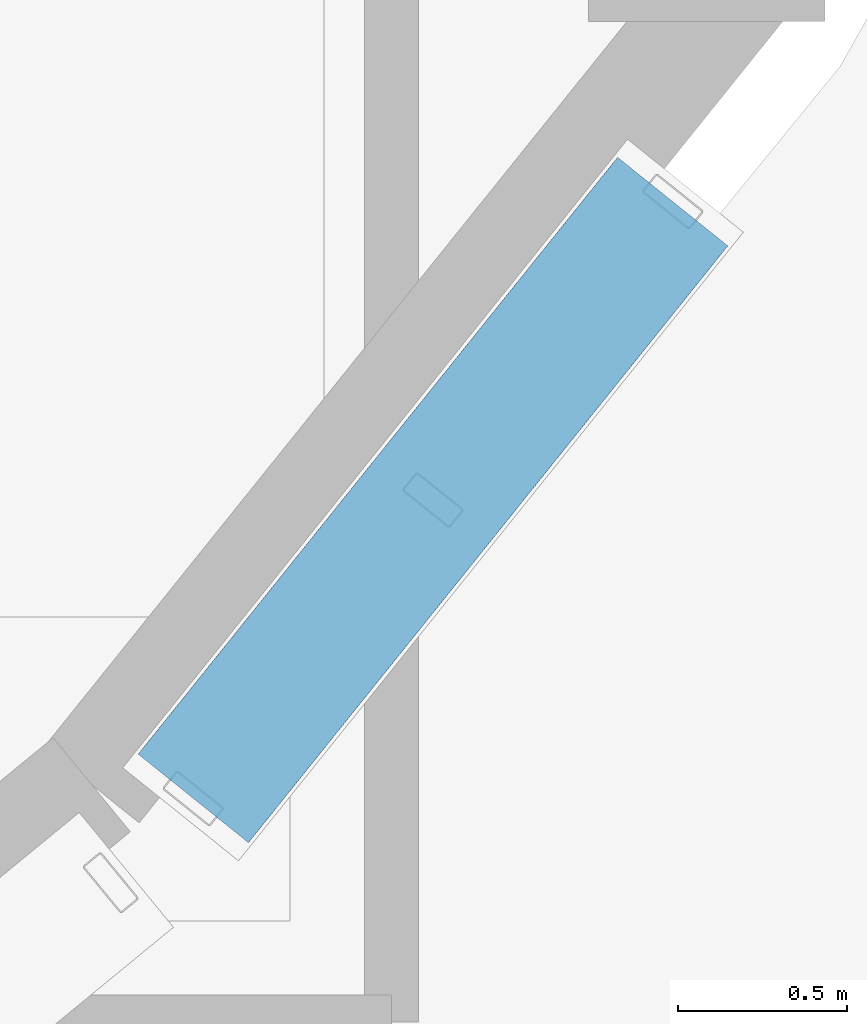
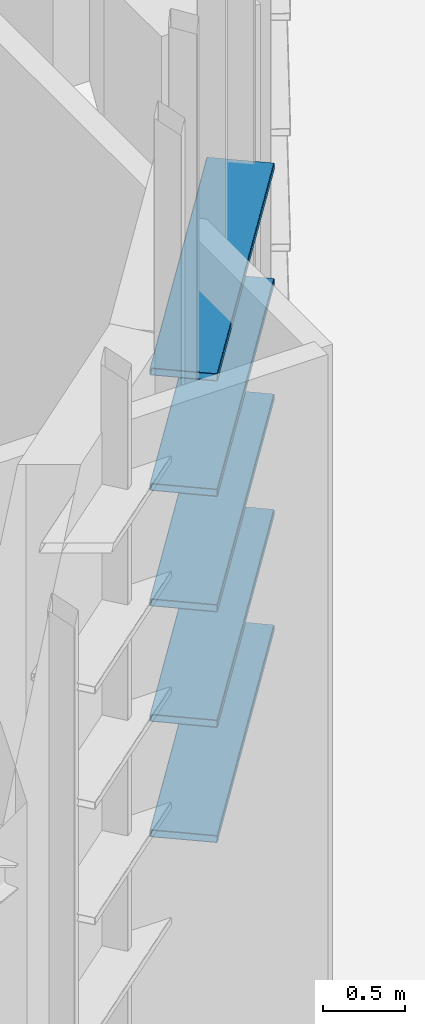
# One storey, part 202 of 372: 5 members.
"""IFC4 building model written with IfcOpenShell, lengths in metres."""

from ifc_helpers import new_model, si_unit, direction, frame, origin, origin_2d, place, context, subcontext, project, spatial, hollow_rectangle, extrude, material, material_profile, profile_set, type_object, element, save


model = new_model("IFC4")

# Units and contexts
model_context = context("Model", 3, precision=1e-05, world=origin(), true_north=direction((0.0, 1.0)))
body_context = subcontext(model_context, "Body", "Model", "MODEL_VIEW")
ifc_project = project(units=[si_unit("LENGTHUNIT", "METRE"), si_unit("AREAUNIT", "SQUARE_METRE"), si_unit("VOLUMEUNIT", "CUBIC_METRE"), si_unit("PLANEANGLEUNIT", "RADIAN"), si_unit("MASSUNIT", "GRAM", prefix="KILO")], contexts=[model_context])

# Site, building, storey
site_placement = place(None, origin())
site = spatial("IfcSite", under=ifc_project, at=site_placement, CompositionType="ELEMENT")
building_placement = place(site_placement, origin())
building = spatial("IfcBuilding", under=site, at=building_placement, Name="Kaelora Sail Theatre", CompositionType="ELEMENT")
storey_placement = place(building_placement, origin())
storey = spatial("IfcBuildingStorey", under=building, at=storey_placement, Name="L00", CompositionType="ELEMENT", Elevation=0.0)

# Members
ifc_material = material(Name="Anodised aluminium 6063-T6", Category="aluminium")
ifc_material_profile = material_profile(ifc_material, hollow_rectangle(XDim=0.419921875, YDim=0.054931640625, WallThickness=0.00390625, InnerFilletRadius=0.00390625, OuterFilletRadius=0.008056640625, at=origin_2d()), Name="LOUVRE 420x55x4")
ifc_profile_set = profile_set([ifc_material_profile], Name="Anodised aluminium 6063-T6")
member_type = type_object("IfcMemberType", Name="ARC-MEM-LVR-420", PredefinedType="USERDEFINED", material=ifc_profile_set)
for number, where, z_axis, x_axis, name in (
    (1, (99.23388671875, 36.231689453125, 1.25), (-0.626268503228, -0.779607440873, 0.0), (0.779607440873, -0.626268503228, 0.0), "Studio Theatre Sail Drum horizontal solar louvre C7-01"),
    (2, (99.23388671875, 36.231689453125, 2.110107421875), (-0.626268503228, -0.779607440873, 0.0), (0.779607440873, -0.626268503228, 0.0), "Studio Theatre Sail Drum horizontal solar louvre C7-02"),
    (3, (99.23388671875, 36.231689453125, 2.969970703125), (-0.626268503228, -0.779607440873, 0.0), (0.779607440873, -0.626268503228, 0.0), "Studio Theatre Sail Drum horizontal solar louvre C7-03"),
    (4, (99.23388671875, 36.231689453125, 3.830078125), (-0.626268503228, -0.779607440873, 0.0), (0.779607440873, -0.626268503228, 0.0), "Studio Theatre Sail Drum horizontal solar louvre C7-04"),
    (5, (99.23388671875, 36.231689453125, 4.68994140625), (-0.626268503228, -0.779607440873, 0.0), (0.779607440873, -0.626268503228, 0.0), "Studio Theatre Sail Drum horizontal solar louvre C7-05"),
):
    element("IfcMember", number, at=place(storey_placement, frame(where, z_axis=z_axis, x_axis=x_axis)), inside=storey, type_object=member_type, Name=name, ObjectType="LOUVRE", PredefinedType="USERDEFINED", context=body_context, shape_type="SweptSolid", body=[
        extrude(hollow_rectangle(XDim=0.419921875, YDim=0.054931640625, WallThickness=0.00390625, InnerFilletRadius=0.00390625, OuterFilletRadius=0.008056640625, at=origin_2d()), origin(), (0.0, 0.0, 1.0), 2.268798828125),
    ])

save(model, "model.ifc")
